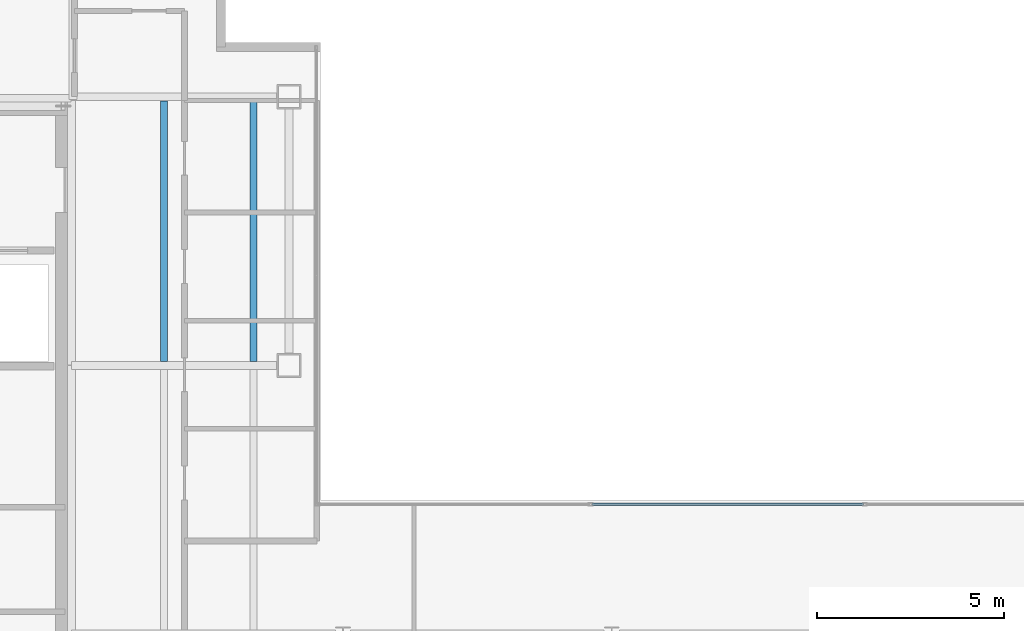
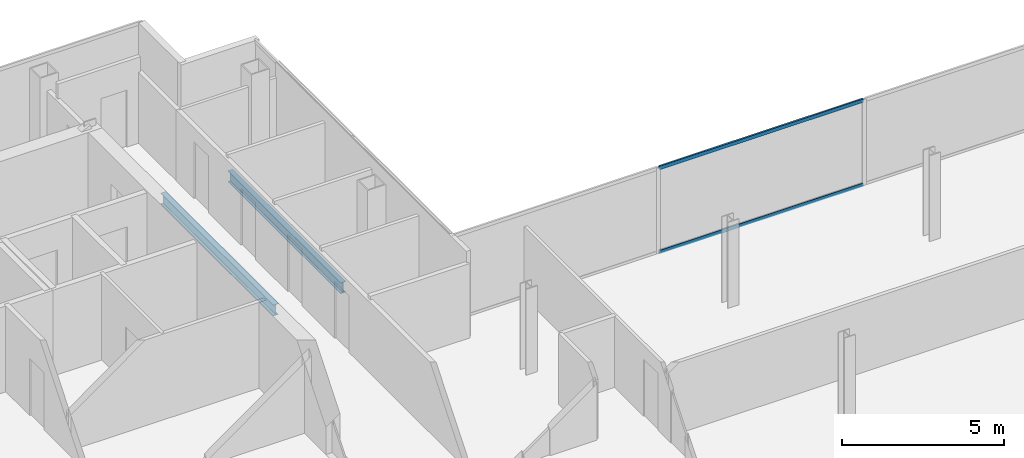
# One storey, part 10 of 23: 2 beams, 2 members, 1 element without a shape of its own.
"""IFC4 building model written with IfcOpenShell, lengths in metres."""

from ifc_helpers import new_model, si_unit, direction, frame, origin, origin_2d, place, context, subcontext, project, spatial, hollow_rectangle, i_section, extrude, material, material_profile, profile_set, type_object, element, aggregate, save


model = new_model("IFC4")

# Units and contexts
model_context = context("Model", 3, precision=1e-05, world=origin(), true_north=direction((0.0, 1.0)))
body_context = subcontext(model_context, "Body", "Model", "MODEL_VIEW")
ifc_project = project(units=[si_unit("LENGTHUNIT", "METRE"), si_unit("AREAUNIT", "SQUARE_METRE"), si_unit("VOLUMEUNIT", "CUBIC_METRE"), si_unit("PLANEANGLEUNIT", "RADIAN"), si_unit("MASSUNIT", "GRAM", prefix="KILO")], contexts=[model_context])

# Site, building, storey
site_placement = place(None, origin())
site = spatial("IfcSite", under=ifc_project, at=site_placement, CompositionType="ELEMENT")
building_placement = place(site_placement, origin())
building = spatial("IfcBuilding", under=site, at=building_placement, Name="Cobrela Telecom Tower", CompositionType="ELEMENT")
storey_placement = place(building_placement, frame((0.0, 0.0, 258.64990234375)))
storey = spatial("IfcBuildingStorey", under=building, at=storey_placement, Name="L67", CompositionType="ELEMENT", Elevation=258.64990234375)

# Beams
ifc_material_1 = material(Name="Steel ASTM A992 Grade 50", Category="steel")
ifc_material_profile_1 = material_profile(ifc_material_1, i_section(OverallWidth=0.179931640625, OverallDepth=0.4169921875, WebThickness=0.010986328125, FlangeThickness=0.01806640625, FilletRadius=0.011962890625, at=origin_2d()), Name="W16X57")
ifc_profile_set_1 = profile_set([ifc_material_profile_1], Name="Steel ASTM A992 Grade 50")
beam_type = type_object("IfcBeamType", Name="BM-JOIST-04", PredefinedType="JOIST", material=ifc_profile_set_1)
for number, where, z_axis, x_axis, name in (
    (1, (16.800048828125, 28.91162109375, -0.468505859375), (0.0, 1.0, 0.0), (-1.0, 0.0, 0.0), "L67 Secondary Composite Floor Beam J03"),
    (2, (19.199951171875, 28.91162109375, -0.468505859375), (0.0, 1.0, 0.0), (-1.0, 0.0, 0.0), "L67 Secondary Composite Floor Beam J06"),
):
    element("IfcBeam", number, at=place(storey_placement, frame(where, z_axis=z_axis, x_axis=x_axis)), inside=storey, type_object=beam_type, Name=name, PredefinedType="JOIST", context=body_context, shape_type="SweptSolid", body=[
        extrude(i_section(OverallWidth=0.179931640625, OverallDepth=0.4169921875, WebThickness=0.010986328125, FlangeThickness=0.01806640625, FilletRadius=0.011962890625, at=origin_2d()), origin(), (0.0, 0.0, 1.0), 6.976806640625),
    ])

# Curtain wall, members
ifc_material_2 = material(Name="Anodized Bronze Aluminium 6063-T6", Category="aluminium")
curtain_wall_type = type_object("IfcCurtainWallType", Name="CW-SYS-OFF-HI", PredefinedType="USERDEFINED", material=ifc_material_2)
curtain_wall_placement = place(storey_placement, origin())
curtain_wall = element("IfcCurtainWall", 3, at=curtain_wall_placement, inside=storey, type_object=curtain_wall_type, Name="L67 Unitised Bronze Curtain Wall 09", ObjectType="UNITISED CURTAIN WALL", PredefinedType="USERDEFINED")
ifc_material_profile_2 = material_profile(ifc_material_2, hollow_rectangle(XDim=0.06494140625, YDim=0.1298828125, WallThickness=0.00390625, at=origin_2d()), Name="ALU 65x130x4")
ifc_profile_set_2 = profile_set([ifc_material_profile_2], Name="Anodized Bronze Aluminium 6063-T6")
member_type = type_object("IfcMemberType", Name="CW-SYS-OFF-HI-TRN", PredefinedType="USERDEFINED", material=ifc_profile_set_2)
member_1_placement = place(storey_placement, frame((28.264892578125, 25.080078125, 0.03271484375), z_axis=(1.0, 0.0, 0.0), x_axis=(0.0, 1.0, 0.0)))
member_1 = element("IfcMember", 4, at=member_1_placement, type_object=member_type, Name="CW-OFF-HI transom 2.1", ObjectType="TRANSOM", PredefinedType="USERDEFINED", context=body_context, shape_type="SweptSolid", body=[
    extrude(hollow_rectangle(XDim=0.06494140625, YDim=0.1298828125, WallThickness=0.00390625, at=origin_2d()), origin(), (0.0, 0.0, 1.0), 7.280029296875),
])
member_2_placement = place(storey_placement, frame((28.264892578125, 25.080078125, 3.20751953125), z_axis=(1.0, 0.0, 0.0), x_axis=(0.0, 1.0, 0.0)))
member_2 = element("IfcMember", 5, at=member_2_placement, type_object=member_type, Name="CW-OFF-HI transom 2.2", ObjectType="TRANSOM", PredefinedType="USERDEFINED", context=body_context, shape_type="SweptSolid", body=[
    extrude(hollow_rectangle(XDim=0.06494140625, YDim=0.1298828125, WallThickness=0.00390625, at=origin_2d()), origin(), (0.0, 0.0, 1.0), 7.280029296875),
])
aggregate(curtain_wall, [member_1, member_2])

save(model, "model.ifc")
